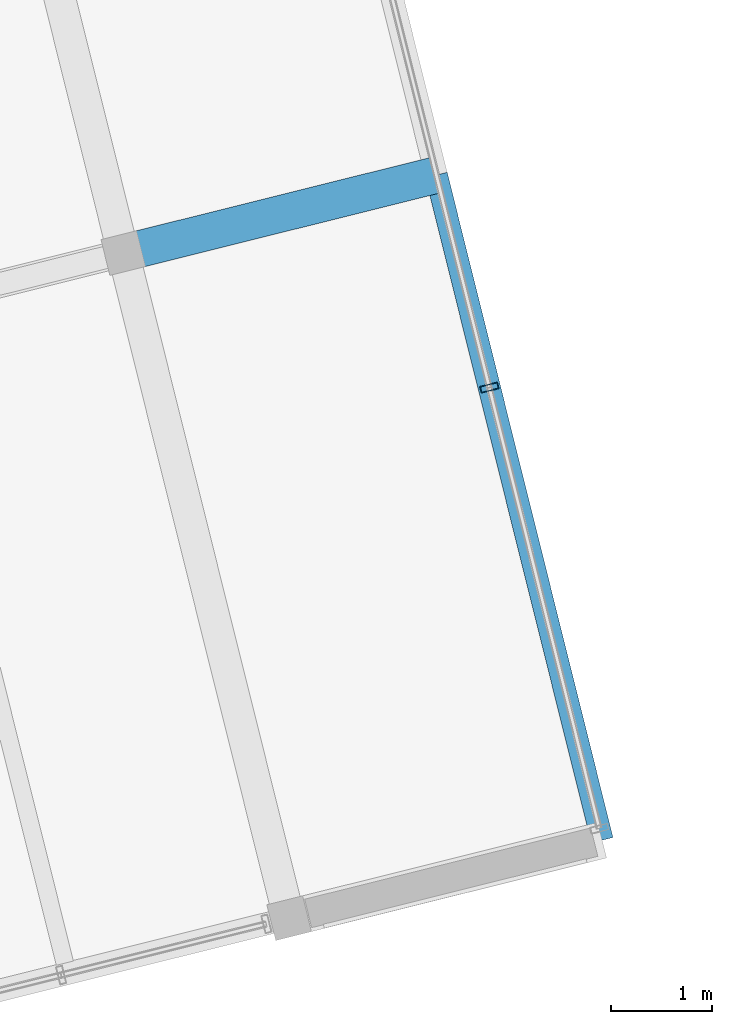
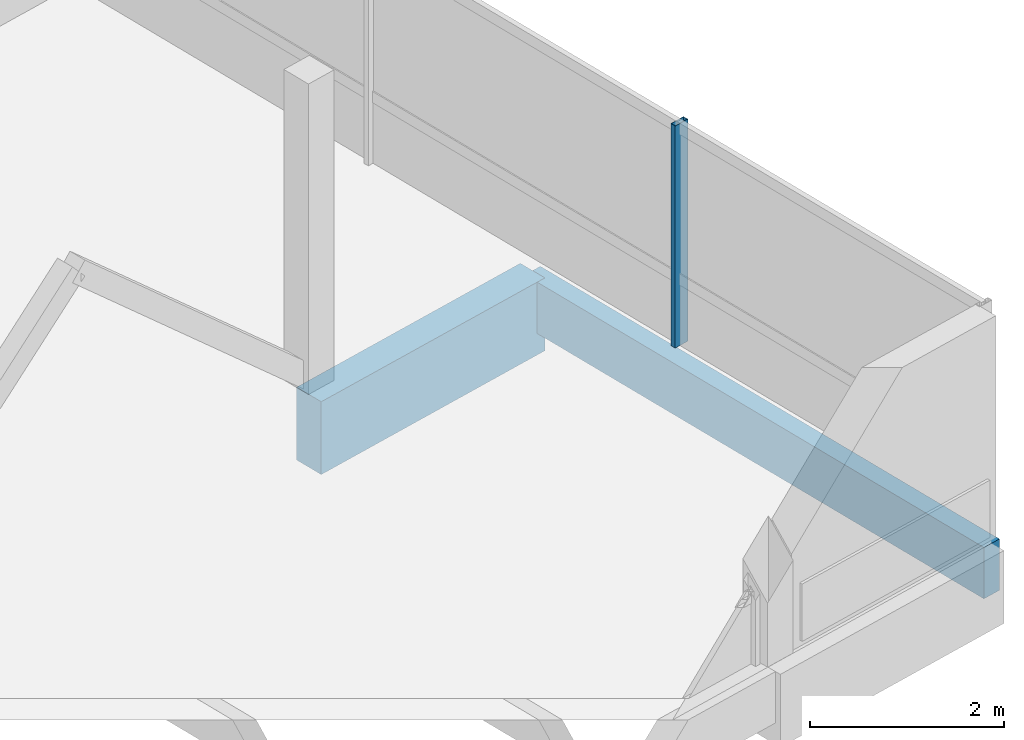
# One storey, part 12 of 28: 2 beams, 1 member, 1 element without a shape of its own.
"""IFC4 building model written with IfcOpenShell, lengths in metres."""

from ifc_helpers import new_model, si_unit, direction, frame, origin, origin_2d, place, context, subcontext, project, spatial, rectangle, hollow_rectangle, extrude, material, layer, layer_set, material_profile, profile_set, type_object, element, aggregate, save


model = new_model("IFC4")

# Units and contexts
model_context = context("Model", 3, precision=1e-05, world=origin(), true_north=direction((0.0, 1.0)))
body_context = subcontext(model_context, "Body", "Model", "MODEL_VIEW")
ifc_project = project(units=[si_unit("LENGTHUNIT", "METRE"), si_unit("AREAUNIT", "SQUARE_METRE"), si_unit("VOLUMEUNIT", "CUBIC_METRE"), si_unit("PLANEANGLEUNIT", "RADIAN"), si_unit("MASSUNIT", "GRAM", prefix="KILO")], contexts=[model_context])

# Site, building, storey
site_placement = place(None, origin())
site = spatial("IfcSite", under=ifc_project, at=site_placement, CompositionType="ELEMENT")
building_placement = place(site_placement, origin())
building = spatial("IfcBuilding", under=site, at=building_placement, Name="Meriwether Solvik Hall", CompositionType="ELEMENT")
storey_placement = place(building_placement, frame((0.0, 0.0, 37.800048828125)))
storey = spatial("IfcBuildingStorey", under=building, at=storey_placement, Name="L09", CompositionType="ELEMENT", Elevation=37.800048828125)

# Beam
ifc_material_1 = material(Name="Glulam Douglas-Fir 24F-V8 GL28h", Category="wood")
ifc_material_profile_1 = material_profile(ifc_material_1, rectangle(XDim=0.221923828125, YDim=0.64501953125, at=origin_2d()), Name="GLB-222X645")
ifc_profile_set_1 = profile_set([ifc_material_profile_1], Name="Glulam Douglas-Fir 24F-V8 GL28h")
beam_type_1 = type_object("IfcBeamType", Name="BM-GL-222X645", PredefinedType="SPANDREL", material=ifc_profile_set_1)
beam_1_placement = place(storey_placement, frame((106.635498046875, 50.683349609375, -0.50244140625), z_axis=(-0.241918877831, 0.970296478685, 0.0), x_axis=(-0.970296478685, -0.241918877831, 0.0)))
element("IfcBeam", 1, at=beam_1_placement, inside=storey, type_object=beam_type_1, Name="Shard Edge Spandrel 1 (L09)", PredefinedType="SPANDREL", context=body_context, shape_type="SweptSolid", body=[
    extrude(rectangle(XDim=0.221923828125, YDim=0.64501953125, at=origin_2d()), origin(), (0.0, 0.0, 1.0), 6.7998046875),
])

# Curtain wall, member
ifc_material_2 = material(Name="Thermally Broken Anodised Aluminium 6063-T6 and Low-E Glass", Category="aluminium")
ifc_layer = layer(ifc_material_2, 0.179931640625)
ifc_layer_set = layer_set([ifc_layer], Name="Thermally Broken Anodised Aluminium 6063-T6 and Low-E Glass")
curtain_wall_type = type_object("IfcCurtainWallType", Name="CW-UNIT-A", PredefinedType="USERDEFINED", material=ifc_layer_set)
curtain_wall_placement = place(storey_placement, origin())
curtain_wall = element("IfcCurtainWall", 2, at=curtain_wall_placement, inside=storey, type_object=curtain_wall_type, Name="Curtain Wall E1_B0 (L09)", ObjectType="UNITISED CURTAIN WALL", PredefinedType="USERDEFINED")
ifc_material_3 = material(Name="Anodised Aluminium 6063-T6", Category="aluminium")
ifc_material_profile_2 = material_profile(ifc_material_3, hollow_rectangle(XDim=0.06494140625, YDim=0.179931640625, WallThickness=0.00439453125, at=origin_2d()), Name="CWM-65X180")
ifc_profile_set_2 = profile_set([ifc_material_profile_2], Name="Anodised Aluminium 6063-T6")
member_type = type_object("IfcMemberType", Name="CW-MUL-65X180", PredefinedType="MULLION", material=ifc_profile_set_2)
member_placement = place(storey_placement, frame((105.516357421875, 55.172607421875, 0.0), z_axis=(0.0, 0.0, 1.0), x_axis=(0.241921914296, -0.970295721615, 0.0)))
member = element("IfcMember", 3, at=member_placement, type_object=member_type, Name="Curtain Wall Mullion 3", PredefinedType="MULLION", context=body_context, shape_type="SweptSolid", body=[
    extrude(hollow_rectangle(XDim=0.06494140625, YDim=0.179931640625, WallThickness=0.00439453125, at=origin_2d()), origin(), (0.0, 0.0, 1.0), 2.7900390625),
])
aggregate(curtain_wall, [member])

# Beam
ifc_material_4 = material(Name="Glulam Douglas-Fir 24F-V8 GL28h", Category="wood")
ifc_material_profile_3 = material_profile(ifc_material_4, rectangle(XDim=0.364990234375, YDim=0.9150390625, at=origin_2d()), Name="GLB-365X915")
ifc_profile_set_3 = profile_set([ifc_material_profile_3], Name="Glulam Douglas-Fir 24F-V8 GL28h")
beam_type_2 = type_object("IfcBeamType", Name="GL-CANT-365X915", PredefinedType="BEAM", material=ifc_profile_set_3)
beam_2_placement = place(storey_placement, frame((101.885498046875, 56.507080078125, -0.637451171875), z_axis=(0.970294894235, 0.241925232711, 0.0), x_axis=(-0.241925232711, 0.970294894235, 0.0)))
element("IfcBeam", 4, at=beam_2_placement, inside=storey, type_object=beam_type_2, Name="Shard Cantilever Girder TB (L09)", PredefinedType="BEAM", context=body_context, shape_type="SweptSolid", body=[
    extrude(rectangle(XDim=0.364990234375, YDim=0.9150390625, at=origin_2d()), origin(), (0.0, 0.0, 1.0), 3.199951171875),
])

save(model, "model.ifc")
